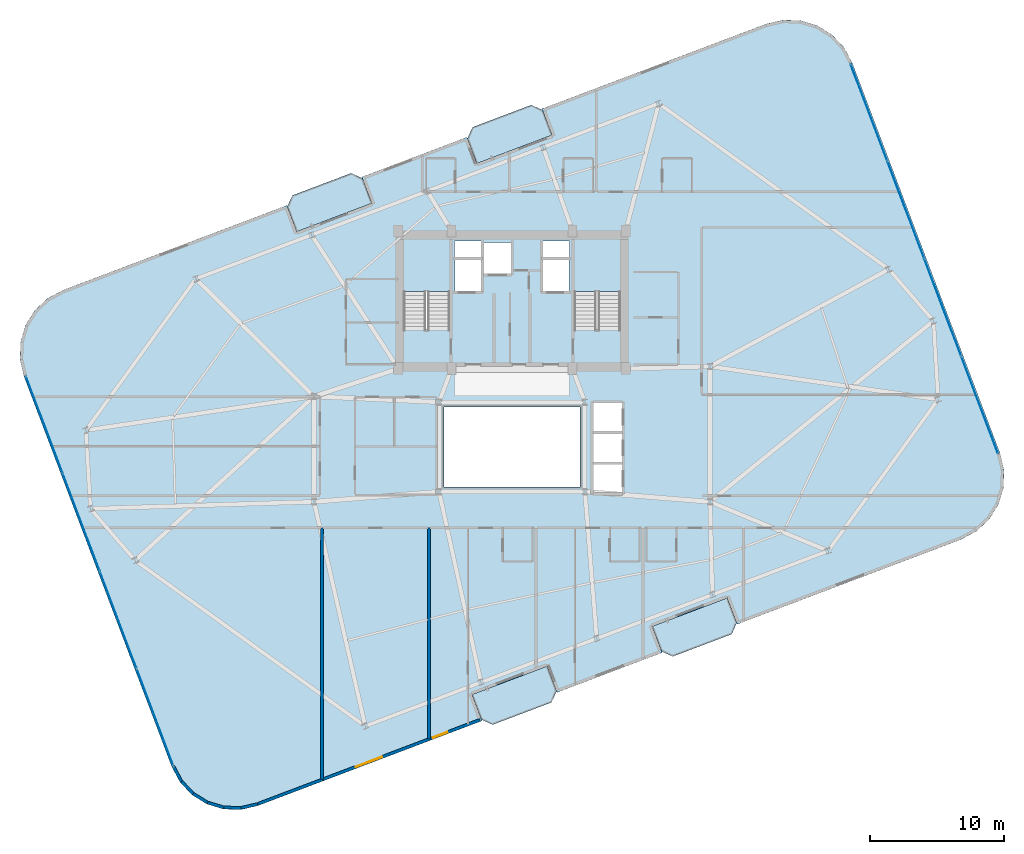
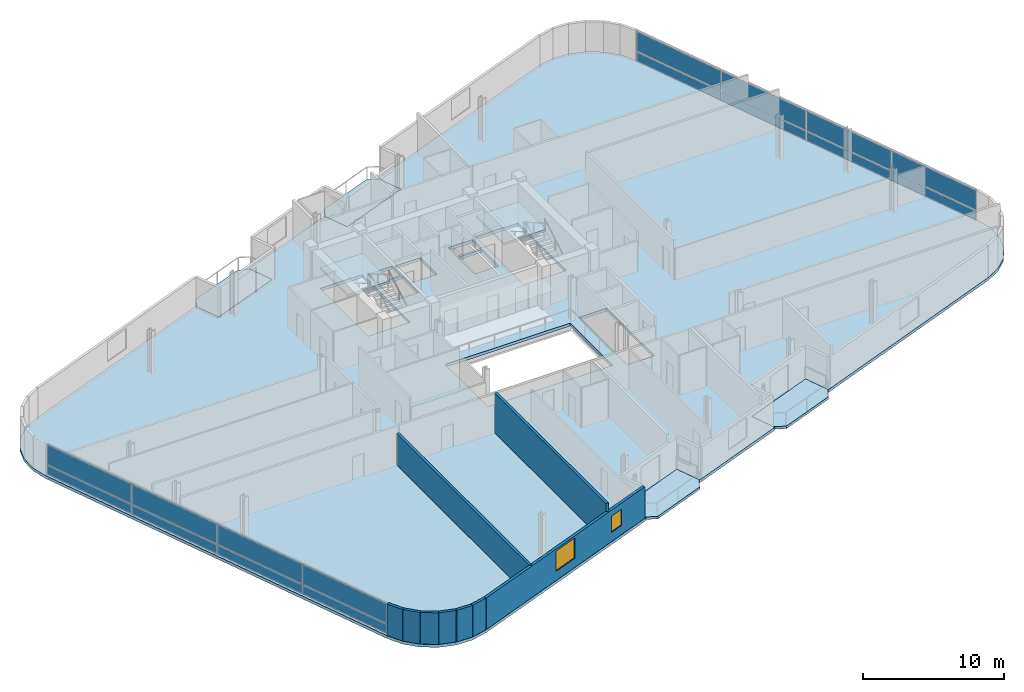
# One storey, part 13 of 20: 16 plates, 9 walls, 7 slabs, 2 windows, 2 openings, 4 elements without a shape of their own.
"""IFC4 building model written with IfcOpenShell, lengths in metres."""

from ifc_helpers import new_model, si_unit, direction, frame, frame_2d, origin, origin_2d, place, context, subcontext, project, spatial, polyline, rectangle, outline, extrude, source, transform, mapped, material, layer, layer_set, type_object, element, fill, aggregate, save


model = new_model("IFC4")

# Units and contexts
model_context = context("Model", 3, precision=1e-05, world=origin(), true_north=direction((0.0, 1.0)))
body_context = subcontext(model_context, "Body", "Model", "MODEL_VIEW")
ifc_project = project(units=[si_unit("LENGTHUNIT", "METRE"), si_unit("AREAUNIT", "SQUARE_METRE"), si_unit("VOLUMEUNIT", "CUBIC_METRE"), si_unit("PLANEANGLEUNIT", "RADIAN"), si_unit("MASSUNIT", "GRAM", prefix="KILO")], contexts=[model_context])

# Site, building, storey
site_placement = place(None, origin())
site = spatial("IfcSite", under=ifc_project, at=site_placement, CompositionType="ELEMENT")
building_placement = place(site_placement, origin())
building = spatial("IfcBuilding", under=site, at=building_placement, Name="Varnelok Gate Tower", CompositionType="ELEMENT")
storey_placement = place(building_placement, frame((0.0, 0.0, 234.89990234375)))
storey = spatial("IfcBuildingStorey", under=building, at=storey_placement, Name="L60", CompositionType="ELEMENT", Elevation=234.89990234375)

# Slabs
ifc_material_1 = material(Name="Concrete C45/55", Category="concrete")
ifc_layer_1 = layer(ifc_material_1, 0.219970703125)
ifc_layer_set_1 = layer_set([ifc_layer_1], Name="Concrete C45/55")
slab_type_1 = type_object("IfcSlabType", Name="SLB-BALC-220", PredefinedType="FLOOR", material=ifc_layer_set_1)
slab_1_placement = place(storey_placement, frame((0.0, 0.0, -0.219970703125)))
element("IfcSlab", 1, at=slab_1_placement, inside=storey, type_object=slab_type_1, Name="L60 South Hollow Balcony 1", PredefinedType="FLOOR", context=body_context, shape_type="SweptSolid", body=[
    extrude(outline(polyline([(36.9189453125, 2.5166015625), (37.757080078125, 2.138916015625), (42.152587890625, 3.802978515625), (42.530517578125, 4.640869140625), (41.822265625, 6.51123046875), (36.2109375, 4.386962890625), (36.9189453125, 2.5166015625)])), origin(), (0.0, 0.0, 1.0), 0.219970703125),
])
slab_2_placement = place(storey_placement, frame((0.0, 0.0, -0.219970703125)))
element("IfcSlab", 2, at=slab_2_placement, inside=storey, type_object=slab_type_1, Name="L60 South Hollow Balcony 2", PredefinedType="FLOOR", context=body_context, shape_type="SweptSolid", body=[
    extrude(outline(polyline([(50.38623046875, 7.614990234375), (51.22412109375, 7.2373046875), (55.619873046875, 8.9013671875), (55.99755859375, 9.739501953125), (55.289306640625, 11.60986328125), (49.677978515625, 9.485595703125), (50.38623046875, 7.614990234375)])), origin(), (0.0, 0.0, 1.0), 0.219970703125),
])
slab_3_placement = place(storey_placement, frame((0.0, 0.0, -0.219970703125)))
element("IfcSlab", 3, at=slab_3_placement, inside=storey, type_object=slab_type_1, Name="L60 North Hollow Balcony 1", PredefinedType="FLOOR", context=body_context, shape_type="SweptSolid", body=[
    extrude(outline(polyline([(23.110595703125, 38.990234375), (28.721923828125, 41.114501953125), (28.013916015625, 42.985107421875), (27.17578125, 43.36279296875), (22.7802734375, 41.698486328125), (22.402587890625, 40.860595703125), (23.110595703125, 38.990234375)])), origin(), (0.0, 0.0, 1.0), 0.219970703125),
])
slab_4_placement = place(storey_placement, frame((0.0, 0.0, -0.219970703125)))
element("IfcSlab", 4, at=slab_4_placement, inside=storey, type_object=slab_type_1, Name="L60 North Hollow Balcony 2", PredefinedType="FLOOR", context=body_context, shape_type="SweptSolid", body=[
    extrude(outline(polyline([(36.577880859375, 44.088623046875), (42.189208984375, 46.212890625), (41.48095703125, 48.08349609375), (40.642822265625, 48.461181640625), (36.247314453125, 46.797119140625), (35.86962890625, 45.958984375), (36.577880859375, 44.088623046875)])), origin(), (0.0, 0.0, 1.0), 0.219970703125),
])

# Stair, slab
ifc_material_2 = material(Name="Concrete C50/60", Category="concrete")
stair_type = type_object("IfcStairType", Name="STR-CORE-1650", PredefinedType="HALF_TURN_STAIR", material=ifc_material_2)
stair_1_placement = place(storey_placement, origin())
stair_1 = element("IfcStair", 5, at=stair_1_placement, inside=storey, type_object=stair_type, Name="L60 Exit Stair ST-1", PredefinedType="HALF_TURN_STAIR")
ifc_layer_2 = layer(ifc_material_1, 0.199951171875)
ifc_layer_set_2 = layer_set([ifc_layer_2], Name="Concrete C45/55")
slab_type_2 = type_object("IfcSlabType", Name="SLB-LAND-200", PredefinedType="LANDING", material=ifc_layer_set_2)
slab_5_placement = place(storey_placement, frame((0.0, 0.0, 1.650146484375)))
slab_5 = element("IfcSlab", 6, at=slab_5_placement, type_object=slab_type_2, Name="ST-1 landing 1", PredefinedType="LANDING", context=body_context, shape_type="SweptSolid", body=[
    extrude(outline(polyline([(34.550048828125, 34.5), (34.550048828125, 38.449951171875), (31.10009765625, 38.449951171875), (31.10009765625, 34.5), (34.550048828125, 34.5)])), origin(), (0.0, 0.0, 1.0), 0.199951171875),
])
aggregate(stair_1, [slab_5])

stair_2_placement = place(storey_placement, origin())
stair_2 = element("IfcStair", 7, at=stair_2_placement, inside=storey, type_object=stair_type, Name="L60 Exit Stair ST-2", PredefinedType="HALF_TURN_STAIR")
slab_6_placement = place(storey_placement, frame((0.0, 0.0, 1.650146484375)))
slab_6 = element("IfcSlab", 8, at=slab_6_placement, type_object=slab_type_2, Name="ST-2 landing 1", PredefinedType="LANDING", context=body_context, shape_type="SweptSolid", body=[
    extrude(outline(polyline([(47.300048828125, 34.5), (47.300048828125, 38.449951171875), (43.85009765625, 38.449951171875), (43.85009765625, 34.5), (47.300048828125, 34.5)])), origin(), (0.0, 0.0, 1.0), 0.199951171875),
])
aggregate(stair_2, [slab_6])

# Slab
ifc_layer_3 = layer(ifc_material_2, 0.25)
ifc_layer_set_3 = layer_set([ifc_layer_3], Name="Concrete C50/60")
slab_type_3 = type_object("IfcSlabType", Name="SLB-TYP-250", PredefinedType="FLOOR", material=ifc_layer_set_3)
slab_7_placement = place(storey_placement, frame((0.0, 0.0, -0.25)))
element("IfcSlab", 9, at=slab_7_placement, inside=storey, type_object=slab_type_3, Name="L60 Structural Floor Slab", PredefinedType="FLOOR", context=body_context, shape_type="SweptSolid", body=[
    extrude(outline(polyline([(13.767578125, -1.0087890625), (14.385009765625, -2.158935546875), (15.279296875, -3.10986328125), (16.388916015625, -3.796875), (17.638671875, -4.17333984375), (18.943359375, -4.213623046875), (20.214111328125, -3.914794921875), (29.8779296875, -0.256103515625), (36.954345703125, 2.423095703125), (36.2109375, 4.386962890625), (41.822265625, 6.51123046875), (42.56591796875, 4.54736328125), (50.421630859375, 7.521484375), (49.677978515625, 9.485595703125), (55.289306640625, 11.60986328125), (56.032958984375, 9.64599609375), (63.109619140625, 12.324951171875), (72.7734375, 15.983642578125), (73.92333984375, 16.60107421875), (74.874267578125, 17.495361328125), (75.561279296875, 18.60498046875), (75.93798828125, 19.854736328125), (75.97802734375, 21.159423828125), (75.67919921875, 22.429931640625), (64.632568359375, 51.60888671875), (64.014892578125, 52.7587890625), (63.120849609375, 53.709716796875), (62.010986328125, 54.39697265625), (60.76123046875, 54.7734375), (59.45654296875, 54.813720703125), (58.18603515625, 54.5146484375), (48.522216796875, 50.856201171875), (41.445556640625, 48.177001953125), (42.189208984375, 46.212890625), (36.577880859375, 44.088623046875), (35.834228515625, 46.052490234375), (27.978515625, 43.07861328125), (28.721923828125, 41.114501953125), (23.110595703125, 38.990234375), (22.3671875, 40.9541015625), (15.29052734375, 38.275146484375), (5.626708984375, 34.616455078125), (4.4765625, 33.998779296875), (3.525634765625, 33.104736328125), (2.838623046875, 31.9951171875), (2.462158203125, 30.7451171875), (2.422119140625, 29.440673828125), (2.720703125, 28.169921875), (13.767578125, -1.0087890625)]), holes=[polyline([(34.550048828125, 31.679931640625), (34.550048828125, 38.449951171875), (31.10009765625, 38.449951171875), (31.10009765625, 31.679931640625), (34.550048828125, 31.679931640625)]), polyline([(47.300048828125, 31.679931640625), (47.300048828125, 38.449951171875), (43.85009765625, 38.449951171875), (43.85009765625, 31.679931640625), (47.300048828125, 31.679931640625)]), polyline([(34.949951171875, 34.550048828125), (36.89990234375, 34.550048828125), (36.89990234375, 36.89990234375), (34.949951171875, 36.89990234375), (34.949951171875, 34.550048828125)]), polyline([(41.5, 34.550048828125), (43.449951171875, 34.550048828125), (43.449951171875, 36.89990234375), (41.5, 36.89990234375), (41.5, 34.550048828125)]), polyline([(37.050048828125, 35.85009765625), (39.14990234375, 35.85009765625), (39.14990234375, 38.199951171875), (37.050048828125, 38.199951171875), (37.050048828125, 35.85009765625)]), polyline([(45.25, 19.449951171875), (47.449951171875, 19.449951171875), (47.449951171875, 26.199951171875), (45.25, 26.199951171875), (45.25, 19.449951171875)]), polyline([(34.919921875, 37.080078125), (36.89990234375, 37.080078125), (36.89990234375, 38.280029296875), (34.919921875, 38.280029296875), (34.919921875, 37.080078125)]), polyline([(41.5, 37.080078125), (43.47998046875, 37.080078125), (43.47998046875, 38.280029296875), (41.5, 38.280029296875), (41.5, 37.080078125)]), polyline([(34.10009765625, 19.89990234375), (44.300048828125, 19.89990234375), (44.300048828125, 25.89990234375), (34.10009765625, 25.89990234375), (34.10009765625, 19.89990234375)])]), origin(), (0.0, 0.0, 1.0), 0.25),
])

# Curtain wall, plates
ifc_material_3 = material(Name="Anodized Aluminum Alloy 6063-T6", Category="aluminium")
ifc_layer_4 = layer(ifc_material_3, 0.179931640625)
ifc_layer_set_4 = layer_set([ifc_layer_4], Name="Anodized Aluminum Alloy 6063-T6")
curtain_wall_type = type_object("IfcCurtainWallType", Name="CW4-RESIDENCE-VISION", PredefinedType="USERDEFINED", material=ifc_layer_set_4)
curtain_wall_1_placement = place(storey_placement, origin())
curtain_wall_1 = element("IfcCurtainWall", 10, at=curtain_wall_1_placement, inside=storey, type_object=curtain_wall_type, Name="L60 West End Vision Curtain Wall", ObjectType="UNITISED CURTAIN WALL", PredefinedType="USERDEFINED")
ifc_material_4 = material(Name="Low-E Laminated Double Glazing IGU", Category="glass")
ifc_layer_5 = layer(ifc_material_4, 0.035888671875)
ifc_layer_set_5 = layer_set([ifc_layer_5], Name="Low-E Laminated Double Glazing IGU")
plate_type = type_object("IfcPlateType", Name="CW-PNL-IGU36", PredefinedType="CURTAIN_PANEL", material=ifc_layer_set_5)
shared_shape_1 = source(origin(), body_context, "Body", "SweptSolid", [
    extrude(rectangle(XDim=7.6875, YDim=0.035888671875, at=origin_2d()), origin(), (0.0, 0.0, 1.0), 0.78759765625),
])
plate_1_placement = place(storey_placement, frame((12.510986328125, 2.70556640625, 0.074951171875), z_axis=(0.0, 0.0, 1.0), x_axis=(-0.354063042079, 0.935221557832, 0.0)))
plate_1 = element("IfcPlate", 11, at=plate_1_placement, type_object=plate_type, Name="CW4 panel 1.1", PredefinedType="CURTAIN_PANEL", context=body_context, shape_type="MappedRepresentation", body=[
    mapped(shared_shape_1, transform((0.0, 0.0, 0.0), scale=1.0)),
])
plate_2_placement = place(storey_placement, frame((4.2392578125, 24.5546875, 0.074951171875), z_axis=(0.0, 0.0, 1.0), x_axis=(-0.354063042079, 0.935221557832, 0.0)))
plate_2 = element("IfcPlate", 12, at=plate_2_placement, type_object=plate_type, Name="CW4 panel 4.1", PredefinedType="CURTAIN_PANEL", context=body_context, shape_type="MappedRepresentation", body=[
    mapped(shared_shape_1, transform((0.0, 0.0, 0.0), scale=1.0)),
])

curtain_wall_2_placement = place(storey_placement, origin())
curtain_wall_2 = element("IfcCurtainWall", 13, at=curtain_wall_2_placement, inside=storey, type_object=curtain_wall_type, Name="L60 East End Vision Curtain Wall", ObjectType="UNITISED CURTAIN WALL", PredefinedType="USERDEFINED")
plate_3_placement = place(storey_placement, frame((65.888916015625, 47.89453125, 0.074951171875), z_axis=(0.0, 0.0, 1.0), x_axis=(0.354063042079, -0.935221557832, 0.0)))
plate_3 = element("IfcPlate", 14, at=plate_3_placement, type_object=plate_type, Name="CW4 panel 1.1", PredefinedType="CURTAIN_PANEL", context=body_context, shape_type="MappedRepresentation", body=[
    mapped(shared_shape_1, transform((0.0, 0.0, 0.0), scale=1.0)),
])
plate_4_placement = place(storey_placement, frame((74.160888671875, 26.04541015625, 0.074951171875), z_axis=(0.0, 0.0, 1.0), x_axis=(0.354063042079, -0.935221557832, 0.0)))
plate_4 = element("IfcPlate", 15, at=plate_4_placement, type_object=plate_type, Name="CW4 panel 4.1", PredefinedType="CURTAIN_PANEL", context=body_context, shape_type="MappedRepresentation", body=[
    mapped(shared_shape_1, transform((0.0, 0.0, 0.0), scale=1.0)),
])

# Plate
shared_shape_2 = source(origin(), body_context, "Body", "SweptSolid", [
    extrude(rectangle(XDim=7.6875, YDim=0.035888671875, at=origin_2d()), origin(), (0.0, 0.0, 1.0), 1.717529296875),
])
plate_5_placement = place(storey_placement, frame((12.510986328125, 2.70556640625, 0.9375), z_axis=(0.0, 0.0, 1.0), x_axis=(-0.354063042079, 0.935221557832, 0.0)))
plate_5 = element("IfcPlate", 16, at=plate_5_placement, type_object=plate_type, Name="CW4 panel 1.2", PredefinedType="CURTAIN_PANEL", context=body_context, shape_type="MappedRepresentation", body=[
    mapped(shared_shape_2, transform((0.0, 0.0, 0.0), scale=1.0)),
])

plate_6_placement = place(storey_placement, frame((4.2392578125, 24.5546875, 0.9375), z_axis=(0.0, 0.0, 1.0), x_axis=(-0.354063042079, 0.935221557832, 0.0)))
plate_6 = element("IfcPlate", 17, at=plate_6_placement, type_object=plate_type, Name="CW4 panel 4.2", PredefinedType="CURTAIN_PANEL", context=body_context, shape_type="MappedRepresentation", body=[
    mapped(shared_shape_2, transform((0.0, 0.0, 0.0), scale=1.0)),
])

plate_7_placement = place(storey_placement, frame((65.888916015625, 47.89453125, 0.9375), z_axis=(0.0, 0.0, 1.0), x_axis=(0.354063042079, -0.935221557832, 0.0)))
plate_7 = element("IfcPlate", 18, at=plate_7_placement, type_object=plate_type, Name="CW4 panel 1.2", PredefinedType="CURTAIN_PANEL", context=body_context, shape_type="MappedRepresentation", body=[
    mapped(shared_shape_2, transform((0.0, 0.0, 0.0), scale=1.0)),
])

plate_8_placement = place(storey_placement, frame((74.160888671875, 26.04541015625, 0.9375), z_axis=(0.0, 0.0, 1.0), x_axis=(0.354063042079, -0.935221557832, 0.0)))
plate_8 = element("IfcPlate", 19, at=plate_8_placement, type_object=plate_type, Name="CW4 panel 4.2", PredefinedType="CURTAIN_PANEL", context=body_context, shape_type="MappedRepresentation", body=[
    mapped(shared_shape_2, transform((0.0, 0.0, 0.0), scale=1.0)),
])

shared_shape_3 = source(origin(), body_context, "Body", "SweptSolid", [
    extrude(rectangle(XDim=7.72509765625, YDim=0.035888671875, at=origin_2d()), origin(), (0.0, 0.0, 1.0), 0.78759765625),
])
plate_9_placement = place(storey_placement, frame((9.755859375, 9.982666015625, 0.074951171875), z_axis=(0.0, 0.0, 1.0), x_axis=(-0.354063042079, 0.935221557832, 0.0)))
plate_9 = element("IfcPlate", 20, at=plate_9_placement, type_object=plate_type, Name="CW4 panel 2.1", PredefinedType="CURTAIN_PANEL", context=body_context, shape_type="MappedRepresentation", body=[
    mapped(shared_shape_3, transform((0.0, 0.0, 0.0), scale=1.0)),
])

plate_10_placement = place(storey_placement, frame((6.994140625, 17.277587890625, 0.074951171875), z_axis=(0.0, 0.0, 1.0), x_axis=(-0.354063042079, 0.935221557832, 0.0)))
plate_10 = element("IfcPlate", 21, at=plate_10_placement, type_object=plate_type, Name="CW4 panel 3.1", PredefinedType="CURTAIN_PANEL", context=body_context, shape_type="MappedRepresentation", body=[
    mapped(shared_shape_3, transform((0.0, 0.0, 0.0), scale=1.0)),
])

plate_11_placement = place(storey_placement, frame((68.64404296875, 40.6171875, 0.074951171875), z_axis=(0.0, 0.0, 1.0), x_axis=(0.354063042079, -0.935221557832, 0.0)))
plate_11 = element("IfcPlate", 22, at=plate_11_placement, type_object=plate_type, Name="CW4 panel 2.1", PredefinedType="CURTAIN_PANEL", context=body_context, shape_type="MappedRepresentation", body=[
    mapped(shared_shape_3, transform((0.0, 0.0, 0.0), scale=1.0)),
])

plate_12_placement = place(storey_placement, frame((71.40576171875, 33.322509765625, 0.074951171875), z_axis=(0.0, 0.0, 1.0), x_axis=(0.354063042079, -0.935221557832, 0.0)))
plate_12 = element("IfcPlate", 23, at=plate_12_placement, type_object=plate_type, Name="CW4 panel 3.1", PredefinedType="CURTAIN_PANEL", context=body_context, shape_type="MappedRepresentation", body=[
    mapped(shared_shape_3, transform((0.0, 0.0, 0.0), scale=1.0)),
])

shared_shape_4 = source(origin(), body_context, "Body", "SweptSolid", [
    extrude(rectangle(XDim=7.72509765625, YDim=0.035888671875, at=origin_2d()), origin(), (0.0, 0.0, 1.0), 1.717529296875),
])
plate_13_placement = place(storey_placement, frame((9.755859375, 9.982666015625, 0.9375), z_axis=(0.0, 0.0, 1.0), x_axis=(-0.354063042079, 0.935221557832, 0.0)))
plate_13 = element("IfcPlate", 24, at=plate_13_placement, type_object=plate_type, Name="CW4 panel 2.2", PredefinedType="CURTAIN_PANEL", context=body_context, shape_type="MappedRepresentation", body=[
    mapped(shared_shape_4, transform((0.0, 0.0, 0.0), scale=1.0)),
])

plate_14_placement = place(storey_placement, frame((6.994140625, 17.277587890625, 0.9375), z_axis=(0.0, 0.0, 1.0), x_axis=(-0.354063042079, 0.935221557832, 0.0)))
plate_14 = element("IfcPlate", 25, at=plate_14_placement, type_object=plate_type, Name="CW4 panel 3.2", PredefinedType="CURTAIN_PANEL", context=body_context, shape_type="MappedRepresentation", body=[
    mapped(shared_shape_4, transform((0.0, 0.0, 0.0), scale=1.0)),
])

aggregate(curtain_wall_1, [plate_1, plate_5, plate_9, plate_13, plate_10, plate_14, plate_2, plate_6])

plate_15_placement = place(storey_placement, frame((68.64404296875, 40.6171875, 0.9375), z_axis=(0.0, 0.0, 1.0), x_axis=(0.354063042079, -0.935221557832, 0.0)))
plate_15 = element("IfcPlate", 26, at=plate_15_placement, type_object=plate_type, Name="CW4 panel 2.2", PredefinedType="CURTAIN_PANEL", context=body_context, shape_type="MappedRepresentation", body=[
    mapped(shared_shape_4, transform((0.0, 0.0, 0.0), scale=1.0)),
])

plate_16_placement = place(storey_placement, frame((71.40576171875, 33.322509765625, 0.9375), z_axis=(0.0, 0.0, 1.0), x_axis=(0.354063042079, -0.935221557832, 0.0)))
plate_16 = element("IfcPlate", 27, at=plate_16_placement, type_object=plate_type, Name="CW4 panel 3.2", PredefinedType="CURTAIN_PANEL", context=body_context, shape_type="MappedRepresentation", body=[
    mapped(shared_shape_4, transform((0.0, 0.0, 0.0), scale=1.0)),
])

aggregate(curtain_wall_2, [plate_3, plate_7, plate_11, plate_15, plate_12, plate_16, plate_4, plate_8])

# Walls
ifc_layer_6 = layer(ifc_material_1, 0.219970703125)
ifc_layer_set_6 = layer_set([ifc_layer_6], Name="Concrete C45/55")
wall_type_1 = type_object("IfcWallType", Name="EW-BALC-220", PredefinedType="SOLIDWALL", material=ifc_layer_set_6)
wall_1_placement = place(storey_placement, frame((13.880615234375, -0.966064453125, 0.0), z_axis=(0.0, 0.0, 1.0), x_axis=(0.473242342135, -0.88093228208, 0.0)))
element("IfcWall", 28, at=wall_1_placement, inside=storey, type_object=wall_type_1, Name="L60 Perimeter Facade Closure Wall 1", PredefinedType="SOLIDWALL", context=body_context, shape_type="SweptSolid", body=[
    extrude(rectangle(XDim=1.273681640625, YDim=0.219970703125, at=frame_2d((0.63671875, 0.0))), origin(), (0.0, 0.0, 1.0), 2.72998046875),
])
for number, where, z_axis, x_axis, name in (
    (29, (14.50048828125, -2.1064453125, 0.0), (0.0, 0.0, 1.0), (0.684968140504, -0.728573020702, 0.0), "L60 Perimeter Facade Closure Wall 2"),
    (30, (15.377197265625, -3.029296875, 0.0), (0.0, 0.0, 1.0), (0.850231806078, -0.526408468713, 0.0), "L60 Perimeter Facade Closure Wall 3"),
    (31, (16.462646484375, -3.69384765625, 0.0), (0.0, 0.0, 1.0), (0.957508189204, -0.288406081086, 0.0), "L60 Perimeter Facade Closure Wall 4"),
):
    element("IfcWall", number, at=place(storey_placement, frame(where, z_axis=z_axis, x_axis=x_axis)), inside=storey, type_object=wall_type_1, Name=name, PredefinedType="SOLIDWALL", context=body_context, shape_type="SweptSolid", body=[
        extrude(rectangle(XDim=1.24853515625, YDim=0.219970703125, at=frame_2d((0.624267578125, 0.0))), origin(), (0.0, 0.0, 1.0), 2.72998046875),
    ])
wall_2_placement = place(storey_placement, frame((17.68310546875, -4.0546875, 0.0), z_axis=(0.0, 0.0, 1.0), x_axis=(0.999522886512, -0.030886879732, 0.0)))
element("IfcWall", 32, at=wall_2_placement, inside=storey, type_object=wall_type_1, Name="L60 Perimeter Facade Closure Wall 5", PredefinedType="SOLIDWALL", context=body_context, shape_type="SweptSolid", body=[
    extrude(rectangle(XDim=1.248779296875, YDim=0.219970703125, at=frame_2d((0.62451171875, 0.0))), origin(), (0.0, 0.0, 1.0), 2.72998046875),
])
wall_3_placement = place(storey_placement, frame((18.95556640625, -4.08740234375, 0.0), z_axis=(0.0, 0.0, 1.0), x_axis=(0.973463008152, 0.228844426981, 0.0)))
element("IfcWall", 33, at=wall_3_placement, inside=storey, type_object=wall_type_1, Name="L60 Perimeter Facade Closure Wall 6", PredefinedType="SOLIDWALL", context=body_context, shape_type="SweptSolid", body=[
    extrude(rectangle(XDim=1.2568359375, YDim=0.219970703125, at=frame_2d((0.62841796875, 0.0))), origin(), (0.0, 0.0, 1.0), 2.72998046875),
])

# Wall, openings, windows
wall_4_placement = place(storey_placement, frame((20.2021484375, -3.790771484375, 0.0), z_axis=(0.0, 0.0, 1.0), x_axis=(0.935225574232, 0.354052432984, 0.0)))
wall_4 = element("IfcWall", 34, at=wall_4_placement, inside=storey, type_object=wall_type_1, Name="L60 Perimeter Facade Closure Wall 7", PredefinedType="SOLIDWALL", context=body_context, shape_type="SweptSolid", body=[
    extrude(rectangle(XDim=17.747314453125, YDim=0.219970703125, at=frame_2d((8.87353515625, 0.0))), origin(), (0.0, 0.0, 1.0), 2.72998046875),
])
opening_1_placement = place(wall_4_placement, frame((7.823486328125, 0.0, 0.800048828125)))
opening_1 = element("IfcOpeningElement", 35, at=opening_1_placement, cuts=wall_4, Name="Opening WN4", PredefinedType="OPENING", context=body_context, shape_type="SweptSolid", body=[
    extrude(rectangle(XDim=2.10009765625, YDim=1.75, at=frame_2d((1.050048828125, 0.875))), frame((0.0, 0.119873046875, 0.0), z_axis=(0.0, -1.0, 0.0), x_axis=(1.0, 0.0, 0.0)), (0.0, 0.0, 1.0), 0.239990234375),
])
opening_2_placement = place(wall_4_placement, frame((13.99755859375, 0.0, 0.800048828125)))
opening_2 = element("IfcOpeningElement", 36, at=opening_2_placement, cuts=wall_4, Name="Opening WN8", PredefinedType="OPENING", context=body_context, shape_type="SweptSolid", body=[
    extrude(rectangle(XDim=1.14990234375, YDim=1.39990234375, at=frame_2d((0.574951171875, 0.699951171875))), frame((0.0, 0.119873046875, 0.0), z_axis=(0.0, -1.0, 0.0), x_axis=(1.0, 0.0, 0.0)), (0.0, 0.0, 1.0), 0.239990234375),
])
window_type_1 = type_object("IfcWindowType", Name="WN-BED-1150", PartitioningType="SINGLE_PANEL", PredefinedType="WINDOW", material=ifc_material_4)
window_1_placement = place(opening_2_placement, origin())
window_1 = element("IfcWindow", 37, at=window_1_placement, inside=storey, type_object=window_type_1, Name="L60 Bedroom Vision Window 40", OverallHeight=1.39990234375, OverallWidth=1.14990234375, PartitioningType="SINGLE_PANEL", PredefinedType="WINDOW", context=body_context, shape_type="SweptSolid", body=[
    extrude(rectangle(XDim=1.14990234375, YDim=1.39990234375, at=frame_2d((0.574951171875, 0.699951171875))), frame((0.0, 0.030029296875, 0.0), z_axis=(0.0, -1.0, 0.0), x_axis=(1.0, 0.0, 0.0)), (0.0, 0.0, 1.0), 0.06005859375),
])
fill(opening_2, window_1)
window_type_2 = type_object("IfcWindowType", Name="WN-SUI-2100", PartitioningType="SINGLE_PANEL", PredefinedType="WINDOW", material=ifc_material_4)
window_2_placement = place(opening_1_placement, origin())
window_2 = element("IfcWindow", 38, at=window_2_placement, inside=storey, type_object=window_type_2, Name="L60 Perimeter Vision Window 7", OverallHeight=1.75, OverallWidth=2.10009765625, PartitioningType="SINGLE_PANEL", PredefinedType="WINDOW", context=body_context, shape_type="SweptSolid", body=[
    extrude(rectangle(XDim=2.10009765625, YDim=1.75, at=frame_2d((1.050048828125, 0.875))), frame((0.0, 0.030029296875, 0.0), z_axis=(0.0, -1.0, 0.0), x_axis=(1.0, 0.0, 0.0)), (0.0, 0.0, 1.0), 0.06005859375),
])
fill(opening_1, window_2)

# Walls
ifc_material_5 = material(Name="Gypsum Plasterboard Acoustic Partition", Category="gypsum")
ifc_layer_7 = layer(ifc_material_5, 0.205078125)
ifc_layer_set_7 = layer_set([ifc_layer_7], Name="Gypsum Plasterboard Acoustic Partition")
wall_type_2 = type_object("IfcWallType", Name="PW-PARTY-200", PredefinedType="PARTITIONING", material=ifc_layer_set_7)
wall_5_placement = place(storey_placement, frame((25.0, -1.953125, 0.0), z_axis=(0.0, 0.0, 1.0), x_axis=(0.0, 1.0, 0.0)))
element("IfcWall", 39, at=wall_5_placement, inside=storey, type_object=wall_type_2, Name="L60 South Party Wall 1", PredefinedType="PARTITIONING", context=body_context, shape_type="SweptSolid", body=[
    extrude(rectangle(XDim=18.80322265625, YDim=0.205078125, at=frame_2d((9.401611328125, 0.0))), origin(), (0.0, 0.0, 1.0), 2.739013671875),
])
wall_6_placement = place(storey_placement, frame((33.0, 1.07568359375, 0.0), z_axis=(0.0, 0.0, 1.0), x_axis=(0.0, 1.0, 0.0)))
element("IfcWall", 40, at=wall_6_placement, inside=storey, type_object=wall_type_2, Name="L60 South Party Wall 2", PredefinedType="PARTITIONING", context=body_context, shape_type="SweptSolid", body=[
    extrude(rectangle(XDim=15.7744140625, YDim=0.205078125, at=frame_2d((7.88720703125, 0.0))), origin(), (0.0, 0.0, 1.0), 3.4501953125),
])

save(model, "model.ifc")
